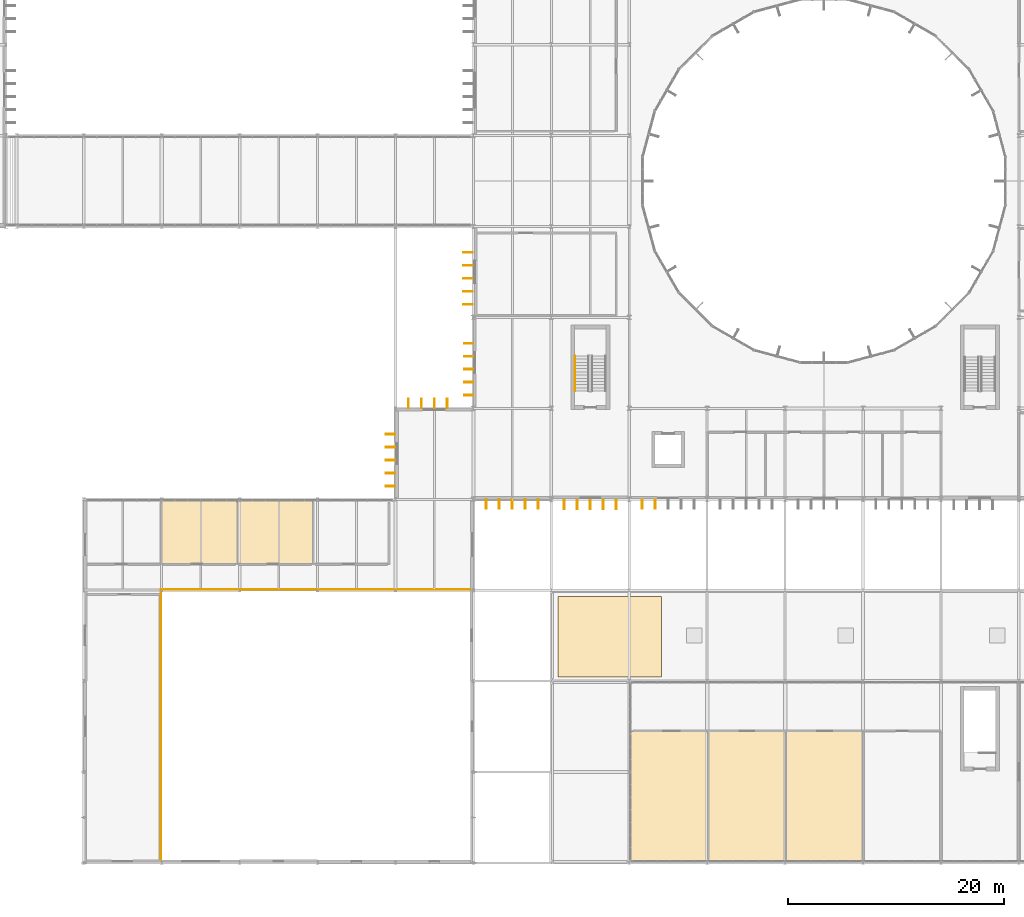
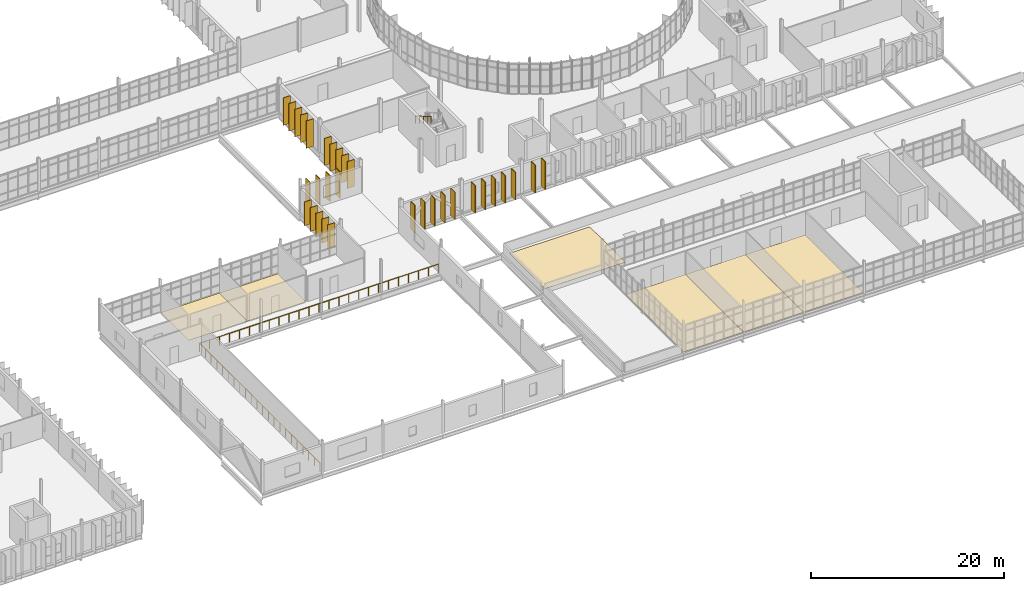
# One storey, part 106 of 119: 31 shading devices, 6 coverings, 2 railings.
"""IFC4 building model written with IfcOpenShell, lengths in metres."""

from ifc_helpers import new_model, si_unit, direction, frame, origin, origin_2d, place, context, subcontext, project, spatial, polyline, rectangle, circle, outline, extrude, material, layer, layer_set, type_object, element, save


model = new_model("IFC4")

# Units and contexts
model_context = context("Model", 3, precision=1e-05, world=origin(), true_north=direction((0.0, 1.0)))
body_context = subcontext(model_context, "Body", "Model", "MODEL_VIEW")
ifc_project = project(units=[si_unit("LENGTHUNIT", "METRE"), si_unit("AREAUNIT", "SQUARE_METRE"), si_unit("VOLUMEUNIT", "CUBIC_METRE"), si_unit("PLANEANGLEUNIT", "RADIAN"), si_unit("MASSUNIT", "GRAM", prefix="KILO")], contexts=[model_context])

# Site, building, storey
site_placement = place(None, origin())
site = spatial("IfcSite", under=ifc_project, at=site_placement, CompositionType="ELEMENT")
building_placement = place(site_placement, origin())
building = spatial("IfcBuilding", under=site, at=building_placement, Name="Qelthora Terrace Specialist Clinic", CompositionType="ELEMENT")
storey_placement = place(building_placement, frame((0.0, 0.0, 4.800048828125)))
storey = spatial("IfcBuildingStorey", under=building, at=storey_placement, Name="L01", CompositionType="ELEMENT", Elevation=4.800048828125)

# Coverings
ifc_material_1 = material(Name="Antimicrobial clinical linoleum flooring", Category="other")
ifc_layer_1 = layer(ifc_material_1, 0.011962890625)
ifc_layer_set_1 = layer_set([ifc_layer_1], Name="Antimicrobial clinical linoleum flooring")
covering_type_1 = type_object("IfcCoveringType", Name="COV-FLR-LINO-12", PredefinedType="FLOORING", material=ifc_layer_set_1)
covering_1_placement = place(storey_placement, origin())
element("IfcCovering", 1, at=covering_1_placement, inside=storey, type_object=covering_type_1, Name="Palliative Care Consultation L01-03 resilient linoleum flooring", PredefinedType="FLOORING", context=body_context, shape_type="SweptSolid", body=[
    extrude(outline(polyline([(64.767578125, 27.60009765625), (64.767578125, 33.449951171875), (71.77490234375, 33.449951171875), (71.77490234375, 27.60009765625), (64.767578125, 27.60009765625)])), origin(), (0.0, 0.0, 1.0), 0.011962890625),
])
covering_2_placement = place(storey_placement, origin())
element("IfcCovering", 2, at=covering_2_placement, inside=storey, type_object=covering_type_1, Name="Gallery Nurse Station L01-04 resilient linoleum flooring", PredefinedType="FLOORING", context=body_context, shape_type="SweptSolid", body=[
    extrude(outline(polyline([(71.780029296875, 27.60009765625), (71.780029296875, 33.449951171875), (78.78759765625, 33.449951171875), (78.78759765625, 27.60009765625), (71.780029296875, 27.60009765625)])), origin(), (0.0, 0.0, 1.0), 0.011962890625),
])
covering_3_placement = place(storey_placement, origin())
element("IfcCovering", 3, at=covering_3_placement, inside=storey, type_object=covering_type_1, Name="Occupational Therapy Studio L01-21 resilient linoleum flooring", PredefinedType="FLOORING", context=body_context, shape_type="SweptSolid", body=[
    extrude(outline(polyline([(108.14990234375, 0.14990234375), (108.14990234375, 12.199951171875), (115.3125, 12.199951171875), (115.3125, 0.14990234375), (108.14990234375, 0.14990234375)])), origin(), (0.0, 0.0, 1.0), 0.011962890625),
])
covering_4_placement = place(storey_placement, origin())
element("IfcCovering", 4, at=covering_4_placement, inside=storey, type_object=covering_type_1, Name="Upper-Limb Rehab Gym L01-22 resilient linoleum flooring", PredefinedType="FLOORING", context=body_context, shape_type="SweptSolid", body=[
    extrude(outline(polyline([(115.3173828125, 0.14990234375), (115.3173828125, 12.199951171875), (122.47509765625, 12.199951171875), (122.47509765625, 0.14990234375), (115.3173828125, 0.14990234375)])), origin(), (0.0, 0.0, 1.0), 0.011962890625),
])
covering_5_placement = place(storey_placement, origin())
element("IfcCovering", 5, at=covering_5_placement, inside=storey, type_object=covering_type_1, Name="Nutrition Teaching Kitchen L01-23 resilient linoleum flooring", PredefinedType="FLOORING", context=body_context, shape_type="SweptSolid", body=[
    extrude(outline(polyline([(122.47998046875, 0.14990234375), (122.47998046875, 12.199951171875), (129.637451171875, 12.199951171875), (129.637451171875, 0.14990234375), (122.47998046875, 0.14990234375)])), origin(), (0.0, 0.0, 1.0), 0.011962890625),
])
ifc_material_2 = material(Name="Standing-seam titanium-zinc", Category="metals")
ifc_layer_2 = layer(ifc_material_2, 0.0400390625)
ifc_layer_set_2 = layer_set([ifc_layer_2], Name="Standing-seam titanium-zinc")
covering_type_2 = type_object("IfcCoveringType", Name="COV-ROOF-ZINC", PredefinedType="ROOFING", material=ifc_layer_set_2)
covering_6_placement = place(storey_placement, origin())
element("IfcCovering", 6, at=covering_6_placement, inside=storey, type_object=covering_type_2, Name="Standing-seam zinc roof covering RCOV-L01-10", PredefinedType="ROOFING", context=body_context, shape_type="SweptSolid", body=[
    extrude(outline(polyline([(101.39990234375, 17.199951171875), (111.0, 17.199951171875), (111.0, 24.60009765625), (101.39990234375, 24.60009765625), (101.39990234375, 17.199951171875)])), origin(), (0.0, 0.0, 1.0), 0.0400390625),
])

# Railings
ifc_material_3 = material(Name="Steel S355", Category="steel")
railing_type_1 = type_object("IfcRailingType", Name="RAL-BAL-1120-GLS", PredefinedType="BALUSTRADE", material=ifc_material_3)
railing_1_placement = place(storey_placement, frame((64.719970703125, 0.320068359375, 0.0)))
element("IfcRailing", 7, at=railing_1_placement, inside=storey, type_object=railing_type_1, Name="Treatment hall L01 gallery balustrade", PredefinedType="BALUSTRADE", context=body_context, shape_type="SweptSolid", body=[
    extrude(circle(Radius=0.02392578125, at=origin_2d()), frame((0.0, 0.0, 1.09619140625), z_axis=(0.0, 1.0, 0.0), x_axis=(-1.0, 0.0, 0.0)), (0.0, 0.0, 1.0), 24.9599609375),
    extrude(circle(Radius=0.02392578125, at=origin_2d()), frame((0.0, 24.9599609375, 1.09619140625), z_axis=(1.0, 0.0, 0.0), x_axis=(0.0, 1.0, 0.0)), (0.0, 0.0, 1.0), 28.56005859375),
    extrude(circle(Radius=0.02099609375, at=origin_2d()), origin(), (0.0, 0.0, 1.0), 1.072021484375),
    extrude(circle(Radius=0.02099609375, at=origin_2d()), frame((0.0, 1.1884765625, 0.0)), (0.0, 0.0, 1.0), 1.072021484375),
    extrude(circle(Radius=0.02099609375, at=origin_2d()), frame((0.0, 2.377197265625, 0.0)), (0.0, 0.0, 1.0), 1.072021484375),
    extrude(circle(Radius=0.02099609375, at=origin_2d()), frame((0.0, 3.565673828125, 0.0)), (0.0, 0.0, 1.0), 1.072021484375),
    extrude(circle(Radius=0.02099609375, at=origin_2d()), frame((0.0, 4.75439453125, 0.0)), (0.0, 0.0, 1.0), 1.072021484375),
    extrude(circle(Radius=0.02099609375, at=origin_2d()), frame((0.0, 5.94287109375, 0.0)), (0.0, 0.0, 1.0), 1.072021484375),
    extrude(circle(Radius=0.02099609375, at=origin_2d()), frame((0.0, 7.13134765625, 0.0)), (0.0, 0.0, 1.0), 1.072021484375),
    extrude(circle(Radius=0.02099609375, at=origin_2d()), frame((0.0, 8.320068359375, 0.0)), (0.0, 0.0, 1.0), 1.072021484375),
    extrude(circle(Radius=0.02099609375, at=origin_2d()), frame((0.0, 9.508544921875, 0.0)), (0.0, 0.0, 1.0), 1.072021484375),
    extrude(circle(Radius=0.02099609375, at=origin_2d()), frame((0.0, 10.697021484375, 0.0)), (0.0, 0.0, 1.0), 1.072021484375),
    extrude(circle(Radius=0.02099609375, at=origin_2d()), frame((0.0, 11.8857421875, 0.0)), (0.0, 0.0, 1.0), 1.072021484375),
    extrude(circle(Radius=0.02099609375, at=origin_2d()), frame((0.0, 13.07421875, 0.0)), (0.0, 0.0, 1.0), 1.072021484375),
    extrude(circle(Radius=0.02099609375, at=origin_2d()), frame((0.0, 14.262939453125, 0.0)), (0.0, 0.0, 1.0), 1.072021484375),
    extrude(circle(Radius=0.02099609375, at=origin_2d()), frame((0.0, 15.451416015625, 0.0)), (0.0, 0.0, 1.0), 1.072021484375),
    extrude(circle(Radius=0.02099609375, at=origin_2d()), frame((0.0, 16.639892578125, 0.0)), (0.0, 0.0, 1.0), 1.072021484375),
    extrude(circle(Radius=0.02099609375, at=origin_2d()), frame((0.0, 17.82861328125, 0.0)), (0.0, 0.0, 1.0), 1.072021484375),
    extrude(circle(Radius=0.02099609375, at=origin_2d()), frame((0.0, 19.01708984375, 0.0)), (0.0, 0.0, 1.0), 1.072021484375),
    extrude(circle(Radius=0.02099609375, at=origin_2d()), frame((0.0, 20.20556640625, 0.0)), (0.0, 0.0, 1.0), 1.072021484375),
    extrude(circle(Radius=0.02099609375, at=origin_2d()), frame((0.0, 21.394287109375, 0.0)), (0.0, 0.0, 1.0), 1.072021484375),
    extrude(circle(Radius=0.02099609375, at=origin_2d()), frame((0.0, 22.582763671875, 0.0)), (0.0, 0.0, 1.0), 1.072021484375),
    extrude(circle(Radius=0.02099609375, at=origin_2d()), frame((0.0, 23.771484375, 0.0)), (0.0, 0.0, 1.0), 1.072021484375),
    extrude(circle(Radius=0.02099609375, at=origin_2d()), frame((0.0, 24.9599609375, 0.0)), (0.0, 0.0, 1.0), 1.072021484375),
    extrude(circle(Radius=0.02099609375, at=origin_2d()), frame((1.18994140625, 24.9599609375, 0.0)), (0.0, 0.0, 1.0), 1.072021484375),
    extrude(circle(Radius=0.02099609375, at=origin_2d()), frame((2.3798828125, 24.9599609375, 0.0)), (0.0, 0.0, 1.0), 1.072021484375),
    extrude(circle(Radius=0.02099609375, at=origin_2d()), frame((3.570068359375, 24.9599609375, 0.0)), (0.0, 0.0, 1.0), 1.072021484375),
    extrude(circle(Radius=0.02099609375, at=origin_2d()), frame((4.760009765625, 24.9599609375, 0.0)), (0.0, 0.0, 1.0), 1.072021484375),
    extrude(circle(Radius=0.02099609375, at=origin_2d()), frame((5.949951171875, 24.9599609375, 0.0)), (0.0, 0.0, 1.0), 1.072021484375),
    extrude(circle(Radius=0.02099609375, at=origin_2d()), frame((7.14013671875, 24.9599609375, 0.0)), (0.0, 0.0, 1.0), 1.072021484375),
    extrude(circle(Radius=0.02099609375, at=origin_2d()), frame((8.330078125, 24.9599609375, 0.0)), (0.0, 0.0, 1.0), 1.072021484375),
    extrude(circle(Radius=0.02099609375, at=origin_2d()), frame((9.52001953125, 24.9599609375, 0.0)), (0.0, 0.0, 1.0), 1.072021484375),
    extrude(circle(Radius=0.02099609375, at=origin_2d()), frame((10.7099609375, 24.9599609375, 0.0)), (0.0, 0.0, 1.0), 1.072021484375),
    extrude(circle(Radius=0.02099609375, at=origin_2d()), frame((11.89990234375, 24.9599609375, 0.0)), (0.0, 0.0, 1.0), 1.072021484375),
    extrude(circle(Radius=0.02099609375, at=origin_2d()), frame((13.090087890625, 24.9599609375, 0.0)), (0.0, 0.0, 1.0), 1.072021484375),
    extrude(circle(Radius=0.02099609375, at=origin_2d()), frame((14.280029296875, 24.9599609375, 0.0)), (0.0, 0.0, 1.0), 1.072021484375),
    extrude(circle(Radius=0.02099609375, at=origin_2d()), frame((15.469970703125, 24.9599609375, 0.0)), (0.0, 0.0, 1.0), 1.072021484375),
    extrude(circle(Radius=0.02099609375, at=origin_2d()), frame((16.66015625, 24.9599609375, 0.0)), (0.0, 0.0, 1.0), 1.072021484375),
    extrude(circle(Radius=0.02099609375, at=origin_2d()), frame((17.85009765625, 24.9599609375, 0.0)), (0.0, 0.0, 1.0), 1.072021484375),
    extrude(circle(Radius=0.02099609375, at=origin_2d()), frame((19.0400390625, 24.9599609375, 0.0)), (0.0, 0.0, 1.0), 1.072021484375),
    extrude(circle(Radius=0.02099609375, at=origin_2d()), frame((20.22998046875, 24.9599609375, 0.0)), (0.0, 0.0, 1.0), 1.072021484375),
    extrude(circle(Radius=0.02099609375, at=origin_2d()), frame((21.419921875, 24.9599609375, 0.0)), (0.0, 0.0, 1.0), 1.072021484375),
    extrude(circle(Radius=0.02099609375, at=origin_2d()), frame((22.610107421875, 24.9599609375, 0.0)), (0.0, 0.0, 1.0), 1.072021484375),
    extrude(circle(Radius=0.02099609375, at=origin_2d()), frame((23.800048828125, 24.9599609375, 0.0)), (0.0, 0.0, 1.0), 1.072021484375),
    extrude(circle(Radius=0.02099609375, at=origin_2d()), frame((24.989990234375, 24.9599609375, 0.0)), (0.0, 0.0, 1.0), 1.072021484375),
    extrude(circle(Radius=0.02099609375, at=origin_2d()), frame((26.18017578125, 24.9599609375, 0.0)), (0.0, 0.0, 1.0), 1.072021484375),
    extrude(circle(Radius=0.02099609375, at=origin_2d()), frame((27.3701171875, 24.9599609375, 0.0)), (0.0, 0.0, 1.0), 1.072021484375),
    extrude(circle(Radius=0.02099609375, at=origin_2d()), frame((28.56005859375, 24.9599609375, 0.0)), (0.0, 0.0, 1.0), 1.072021484375),
])
railing_type_2 = type_object("IfcRailingType", Name="RAL-HR-900-S355", PredefinedType="HANDRAIL", material=ifc_material_3)
railing_2_placement = place(storey_placement, frame((103.0, 46.844970703125, 2.468017578125)))
element("IfcRailing", 8, at=railing_2_placement, inside=storey, type_object=railing_type_2, Name="L01 ST-05 stair handrail 2", PredefinedType="HANDRAIL", context=body_context, shape_type="SweptSolid", body=[
    extrude(circle(Radius=0.02392578125, at=origin_2d()), frame((0.0, 0.0, 0.8759765625), z_axis=(0.0, -0.860040215814, 0.510226250974), x_axis=(1.0, 0.0, 0.0)), (0.0, 0.0, 1.0), 3.77294921875),
    extrude(circle(Radius=0.02099609375, at=origin_2d()), origin(), (0.0, 0.0, 1.0), 0.851806640625),
    extrude(circle(Radius=0.02099609375, at=origin_2d()), frame((0.0, -0.811279296875, 0.481201171875)), (0.0, 0.0, 1.0), 0.851806640625),
    extrude(circle(Radius=0.02099609375, at=origin_2d()), frame((0.0, -1.62255859375, 0.96240234375)), (0.0, 0.0, 1.0), 0.851806640625),
    extrude(circle(Radius=0.02099609375, at=origin_2d()), frame((0.0, -2.43359375, 1.44384765625)), (0.0, 0.0, 1.0), 0.851806640625),
    extrude(circle(Radius=0.02099609375, at=origin_2d()), frame((0.0, -3.244873046875, 1.925048828125)), (0.0, 0.0, 1.0), 0.851806640625),
])

# Shading devices
ifc_material_4 = material(Name="Glulam timber GL28h", Category="wood")
shading_device_type = type_object("IfcShadingDeviceType", Name="SHD-FIN-850", PredefinedType="USERDEFINED", material=ifc_material_4)
for number, where, z_axis, x_axis, name in (
    (9, (85.945068359375, 34.800048828125, 0.0), (0.0, 0.0, 1.0), (-1.0, 0.0, 0.0), "Exterior solar shading fin FIN-0616"),
    (10, (85.945068359375, 36.0, 0.0), (0.0, 0.0, 1.0), (-1.0, 0.0, 0.0), "Exterior solar shading fin FIN-0617"),
    (11, (85.945068359375, 37.199951171875, 0.0), (0.0, 0.0, 1.0), (-1.0, 0.0, 0.0), "Exterior solar shading fin FIN-0618"),
    (12, (85.945068359375, 38.39990234375, 0.0), (0.0, 0.0, 1.0), (-1.0, 0.0, 0.0), "Exterior solar shading fin FIN-0619"),
    (13, (85.945068359375, 39.60009765625, 0.0), (0.0, 0.0, 1.0), (-1.0, 0.0, 0.0), "Exterior solar shading fin FIN-0620"),
):
    element("IfcShadingDevice", number, at=place(storey_placement, frame(where, z_axis=z_axis, x_axis=x_axis)), inside=storey, type_object=shading_device_type, Name=name, ObjectType="FIN", PredefinedType="USERDEFINED", context=body_context, shape_type="SweptSolid", body=[
        extrude(rectangle(XDim=0.85009765625, YDim=0.080078125, at=origin_2d()), origin(), (0.0, 0.0, 1.0), 3.014892578125),
    ])
for number, where, z_axis, x_axis, name in (
    (14, (87.60009765625, 42.445068359375, 0.0), (0.0, 0.0, 1.0), (0.0, 1.0, 0.0), "Exterior solar shading fin FIN-0621"),
    (15, (88.800048828125, 42.445068359375, 0.0), (0.0, 0.0, 1.0), (0.0, 1.0, 0.0), "Exterior solar shading fin FIN-0622"),
    (16, (90.0, 42.445068359375, 0.0), (0.0, 0.0, 1.0), (0.0, 1.0, 0.0), "Exterior solar shading fin FIN-0623"),
    (17, (91.199951171875, 42.445068359375, 0.0), (0.0, 0.0, 1.0), (0.0, 1.0, 0.0), "Exterior solar shading fin FIN-0624"),
):
    element("IfcShadingDevice", number, at=place(storey_placement, frame(where, z_axis=z_axis, x_axis=x_axis)), inside=storey, type_object=shading_device_type, Name=name, ObjectType="FIN", PredefinedType="USERDEFINED", context=body_context, shape_type="SweptSolid", body=[
        extrude(rectangle(XDim=0.85009765625, YDim=0.080078125, at=origin_2d()), origin(), (0.0, 0.0, 1.0), 3.324951171875),
    ])
for number, where, z_axis, x_axis, name in (
    (18, (93.1650390625, 43.199951171875, 0.0), (0.0, 0.0, 1.0), (-1.0, 0.0, 0.0), "Exterior solar shading fin FIN-0625"),
    (19, (93.1650390625, 44.39990234375, 0.0), (0.0, 0.0, 1.0), (-1.0, 0.0, 0.0), "Exterior solar shading fin FIN-0626"),
    (20, (93.1650390625, 45.60009765625, 0.0), (0.0, 0.0, 1.0), (-1.0, 0.0, 0.0), "Exterior solar shading fin FIN-0627"),
    (21, (93.1650390625, 46.800048828125, 0.0), (0.0, 0.0, 1.0), (-1.0, 0.0, 0.0), "Exterior solar shading fin FIN-0628"),
    (22, (93.1650390625, 48.0, 0.0), (0.0, 0.0, 1.0), (-1.0, 0.0, 0.0), "Exterior solar shading fin FIN-0629"),
):
    element("IfcShadingDevice", number, at=place(storey_placement, frame(where, z_axis=z_axis, x_axis=x_axis)), inside=storey, type_object=shading_device_type, Name=name, ObjectType="FIN", PredefinedType="USERDEFINED", context=body_context, shape_type="SweptSolid", body=[
        extrude(rectangle(XDim=0.85009765625, YDim=0.080078125, at=origin_2d()), origin(), (0.0, 0.0, 1.0), 3.405029296875),
    ])
for number, where, z_axis, x_axis, name in (
    (23, (93.10498046875, 51.60009765625, 0.0), (0.0, 0.0, 1.0), (-1.0, 0.0, 0.0), "Exterior solar shading fin FIN-0630"),
    (24, (93.10498046875, 52.800048828125, 0.0), (0.0, 0.0, 1.0), (-1.0, 0.0, 0.0), "Exterior solar shading fin FIN-0631"),
    (25, (93.10498046875, 54.0, 0.0), (0.0, 0.0, 1.0), (-1.0, 0.0, 0.0), "Exterior solar shading fin FIN-0632"),
    (26, (93.10498046875, 55.199951171875, 0.0), (0.0, 0.0, 1.0), (-1.0, 0.0, 0.0), "Exterior solar shading fin FIN-0633"),
    (27, (93.10498046875, 56.39990234375, 0.0), (0.0, 0.0, 1.0), (-1.0, 0.0, 0.0), "Exterior solar shading fin FIN-0634"),
    (28, (94.800048828125, 33.1650390625, 0.0), (0.0, 0.0, 1.0), (0.0, -1.0, 0.0), "Exterior solar shading fin FIN-0930"),
    (29, (96.0, 33.1650390625, 0.0), (0.0, 0.0, 1.0), (0.0, -1.0, 0.0), "Exterior solar shading fin FIN-0931"),
    (30, (97.199951171875, 33.1650390625, 0.0), (0.0, 0.0, 1.0), (0.0, -1.0, 0.0), "Exterior solar shading fin FIN-0932"),
    (31, (98.39990234375, 33.1650390625, 0.0), (0.0, 0.0, 1.0), (0.0, -1.0, 0.0), "Exterior solar shading fin FIN-0933"),
    (32, (99.60009765625, 33.1650390625, 0.0), (0.0, 0.0, 1.0), (0.0, -1.0, 0.0), "Exterior solar shading fin FIN-0934"),
):
    element("IfcShadingDevice", number, at=place(storey_placement, frame(where, z_axis=z_axis, x_axis=x_axis)), inside=storey, type_object=shading_device_type, Name=name, ObjectType="FIN", PredefinedType="USERDEFINED", context=body_context, shape_type="SweptSolid", body=[
        extrude(rectangle(XDim=0.85009765625, YDim=0.080078125, at=origin_2d()), origin(), (0.0, 0.0, 1.0), 3.47607421875),
    ])
for number, where, z_axis, x_axis, name in (
    (33, (102.0, 33.10498046875, 0.0), (0.0, 0.0, 1.0), (0.0, -1.0, 0.0), "Exterior solar shading fin FIN-0935"),
    (34, (103.199951171875, 33.10498046875, 0.0), (0.0, 0.0, 1.0), (0.0, -1.0, 0.0), "Exterior solar shading fin FIN-0936"),
    (35, (104.39990234375, 33.10498046875, 0.0), (0.0, 0.0, 1.0), (0.0, -1.0, 0.0), "Exterior solar shading fin FIN-0937"),
    (36, (105.60009765625, 33.10498046875, 0.0), (0.0, 0.0, 1.0), (0.0, -1.0, 0.0), "Exterior solar shading fin FIN-0938"),
    (37, (106.800048828125, 33.10498046875, 0.0), (0.0, 0.0, 1.0), (0.0, -1.0, 0.0), "Exterior solar shading fin FIN-0939"),
):
    element("IfcShadingDevice", number, at=place(storey_placement, frame(where, z_axis=z_axis, x_axis=x_axis)), inside=storey, type_object=shading_device_type, Name=name, ObjectType="FIN", PredefinedType="USERDEFINED", context=body_context, shape_type="SweptSolid", body=[
        extrude(rectangle(XDim=0.85009765625, YDim=0.080078125, at=origin_2d()), origin(), (0.0, 0.0, 1.0), 3.48193359375),
    ])
for number, where, z_axis, x_axis, name in (
    (38, (109.199951171875, 33.135009765625, 0.0), (0.0, 0.0, 1.0), (0.0, -1.0, 0.0), "Exterior solar shading fin FIN-0940"),
    (39, (110.39990234375, 33.135009765625, 0.0), (0.0, 0.0, 1.0), (0.0, -1.0, 0.0), "Exterior solar shading fin FIN-0941"),
):
    element("IfcShadingDevice", number, at=place(storey_placement, frame(where, z_axis=z_axis, x_axis=x_axis)), inside=storey, type_object=shading_device_type, Name=name, ObjectType="FIN", PredefinedType="USERDEFINED", context=body_context, shape_type="SweptSolid", body=[
        extrude(rectangle(XDim=0.85009765625, YDim=0.080078125, at=origin_2d()), origin(), (0.0, 0.0, 1.0), 3.529052734375),
    ])

save(model, "model.ifc")
